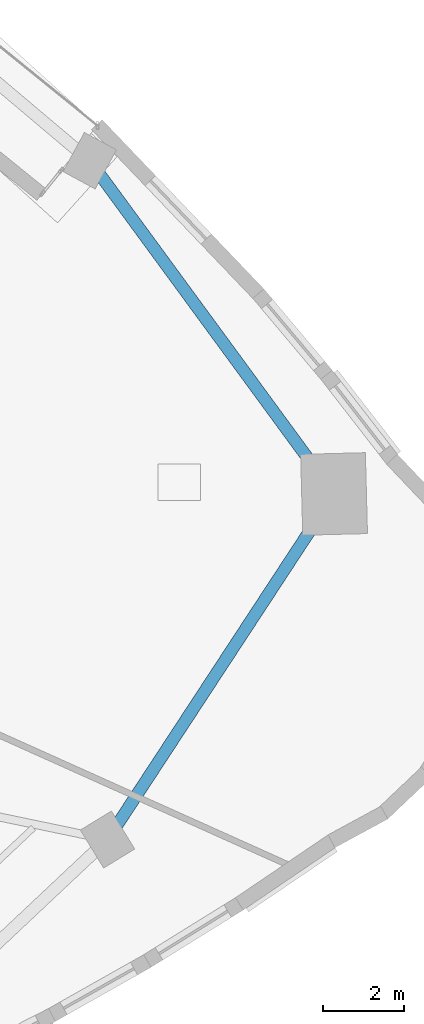
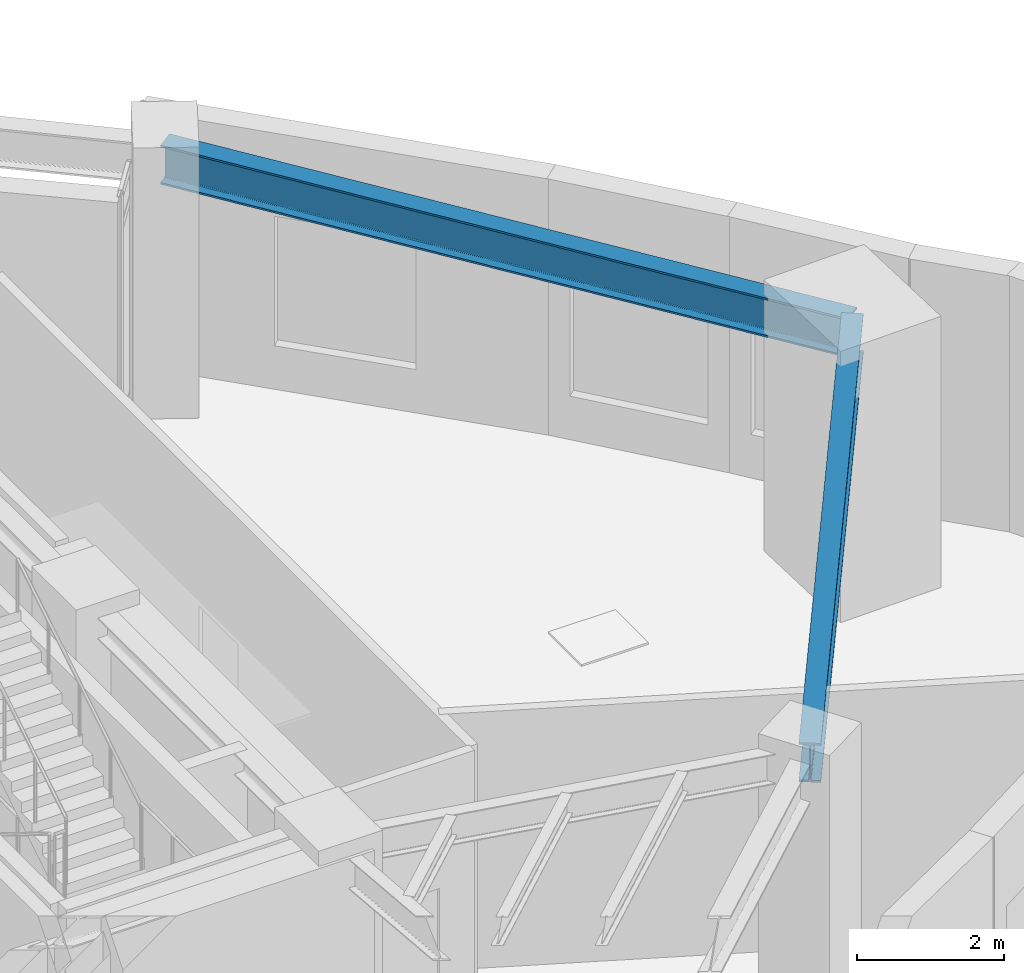
# One storey, part 5 of 16: 2 beams.
"""IFC4 building model written with IfcOpenShell, lengths in metres."""

from ifc_helpers import new_model, si_unit, direction, frame, origin, origin_2d, place, context, subcontext, project, spatial, i_section, extrude, material, material_profile, profile_set, type_object, element, save


model = new_model("IFC4")

# Units and contexts
model_context = context("Model", 3, precision=1e-05, world=origin(), true_north=direction((0.0, 1.0)))
body_context = subcontext(model_context, "Body", "Model", "MODEL_VIEW")
ifc_project = project(units=[si_unit("LENGTHUNIT", "METRE"), si_unit("AREAUNIT", "SQUARE_METRE"), si_unit("VOLUMEUNIT", "CUBIC_METRE"), si_unit("PLANEANGLEUNIT", "RADIAN"), si_unit("MASSUNIT", "GRAM", prefix="KILO")], contexts=[model_context])

# Site, building, storey
site_placement = place(None, origin())
site = spatial("IfcSite", under=ifc_project, at=site_placement, CompositionType="ELEMENT")
building_placement = place(site_placement, origin())
building = spatial("IfcBuilding", under=site, at=building_placement, Name="Ndelora Gate Hotel", CompositionType="ELEMENT")
storey_placement = place(building_placement, frame((0.0, 0.0, 92.75)))
storey = spatial("IfcBuildingStorey", under=building, at=storey_placement, Name="L22", CompositionType="ELEMENT", Elevation=92.75)

# Beams
ifc_material = material(Name="Steel S355", Category="steel")
ifc_material_profile = material_profile(ifc_material, i_section(OverallWidth=0.300048828125, OverallDepth=0.64990234375, WebThickness=0.01611328125, FlangeThickness=0.031005859375, FilletRadius=0.027099609375, at=origin_2d()), Name="HEB 650")
ifc_profile_set = profile_set([ifc_material_profile], Name="Steel S355")
beam_type = type_object("IfcBeamType", Name="BM-RING-650", PredefinedType="SPANDREL", material=ifc_profile_set)
for number, where, z_axis, x_axis, name in (
    (1, (14.74658203125, -8.006591796875, 3.925048828125), (0.548194123818, 0.836351123998, 0.0), (-0.836351123998, 0.548194123818, 0.0), "L22 Perimeter Spandrel Girder 8"),
    (2, (20.34375, 0.53271484375, 3.925048828125), (-0.591229932094, 0.806503048597, 0.0), (-0.806503048597, -0.591229932094, 0.0), "L22 Perimeter Spandrel Girder 9"),
):
    element("IfcBeam", number, at=place(storey_placement, frame(where, z_axis=z_axis, x_axis=x_axis)), inside=storey, type_object=beam_type, Name=name, PredefinedType="SPANDREL", context=body_context, shape_type="SweptSolid", body=[
        extrude(i_section(OverallWidth=0.300048828125, OverallDepth=0.64990234375, WebThickness=0.01611328125, FlangeThickness=0.031005859375, FilletRadius=0.027099609375, at=origin_2d()), origin(), (0.0, 0.0, 1.0), 10.210205078125),
    ])

save(model, "model.ifc")
